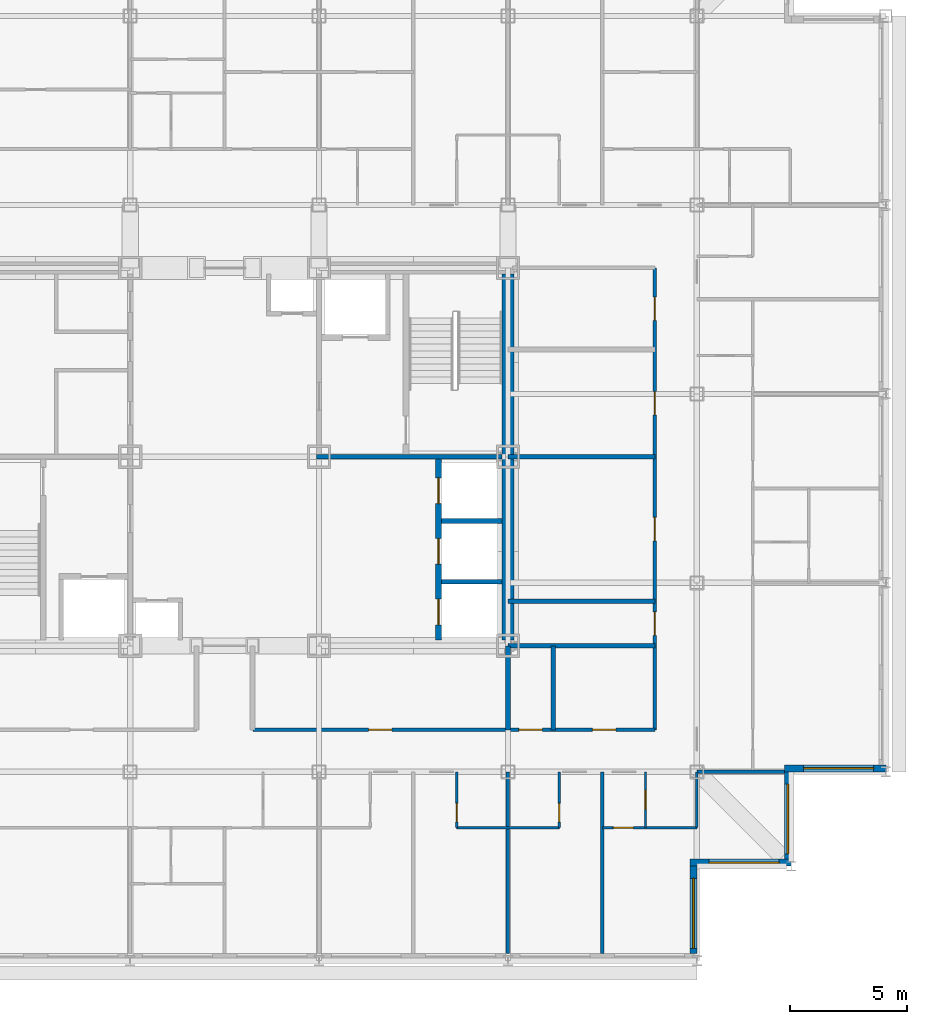
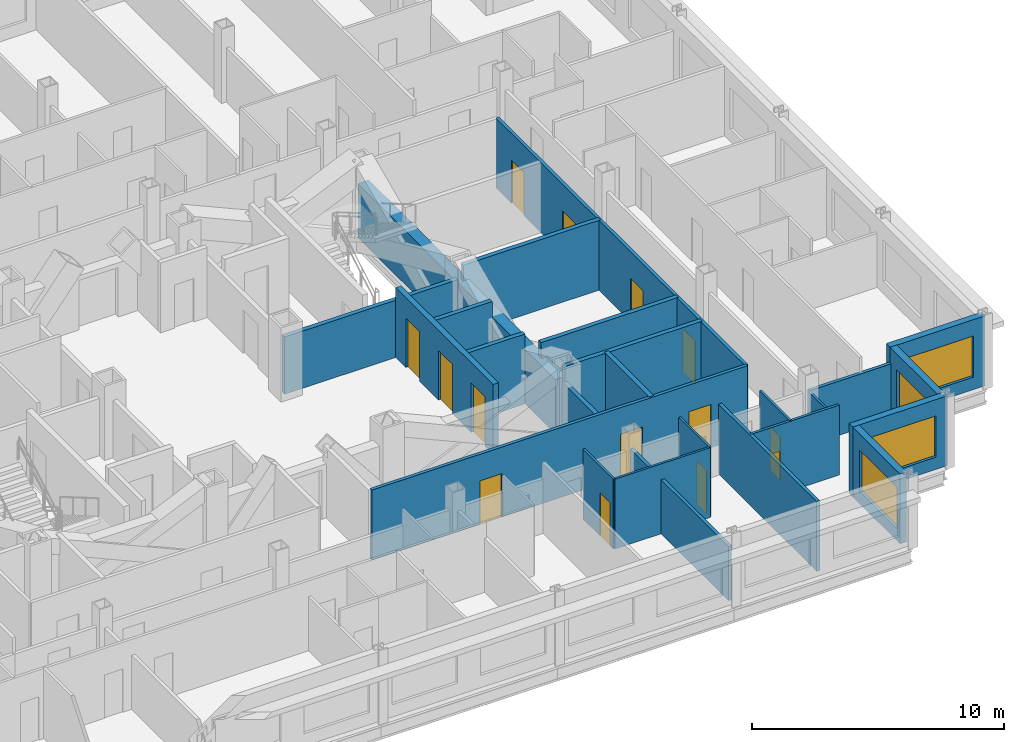
# One storey, part 7 of 12: 25 walls, 14 doors, 4 windows, 18 openings.
"""IFC4 building model written with IfcOpenShell, lengths in metres."""

from ifc_helpers import new_model, si_unit, direction, frame, frame_2d, origin, place, context, subcontext, project, spatial, rectangle, extrude, material, layer, layer_set, type_object, element, fill, save


model = new_model("IFC4")

# Units and contexts
model_context = context("Model", 3, precision=1e-05, world=origin(), true_north=direction((0.0, 1.0)))
body_context = subcontext(model_context, "Body", "Model", "MODEL_VIEW")
ifc_project = project(units=[si_unit("LENGTHUNIT", "METRE"), si_unit("AREAUNIT", "SQUARE_METRE"), si_unit("VOLUMEUNIT", "CUBIC_METRE"), si_unit("PLANEANGLEUNIT", "RADIAN"), si_unit("MASSUNIT", "GRAM", prefix="KILO")], contexts=[model_context])

# Site, building, storey
site_placement = place(None, origin())
site = spatial("IfcSite", under=ifc_project, at=site_placement, CompositionType="ELEMENT")
building_placement = place(site_placement, origin())
building = spatial("IfcBuilding", under=site, at=building_placement, Name="Kopane Lantern Tower", CompositionType="ELEMENT")
storey_placement = place(building_placement, frame((0.0, 0.0, 220.800048828125)))
storey = spatial("IfcBuildingStorey", under=building, at=storey_placement, Name="L57", CompositionType="ELEMENT", Elevation=220.800048828125)

# Wall, opening, door
ifc_material_1 = material(Name="Gypsum board on steel studs", Category="steel")
ifc_layer_1 = layer(ifc_material_1, 0.1201171875)
ifc_layer_set_1 = layer_set([ifc_layer_1], Name="APARTMENT INTERNAL WALL 120")
wall_type_1 = type_object("IfcWallType", Name="APARTMENT INTERNAL WALL 120", PredefinedType="PARTITIONING", material=ifc_layer_set_1)
wall_1_placement = place(storey_placement, frame((44.550048828125, 16.5, 0.0), z_axis=(0.0, 0.0, 1.0), x_axis=(1.0, 0.0, 0.0)))
wall_1 = element("IfcWall", 1, at=wall_1_placement, inside=storey, type_object=wall_type_1, Name="Apartment Internal Wall 120 L57", PredefinedType="PARTITIONING", context=body_context, shape_type="SweptSolid", body=[
    extrude(rectangle(XDim=4.050048828125, YDim=0.1201171875, at=frame_2d((2.02490234375, 0.0))), origin(), (0.0, 0.0, 1.0), 3.389892578125),
])
opening_1_placement = place(wall_1_placement, frame((0.47509765625, 0.0, 0.0)))
opening_1 = element("IfcOpeningElement", 2, at=opening_1_placement, cuts=wall_1, Name="Opening L57-060", PredefinedType="OPENING", context=body_context, shape_type="SweptSolid", body=[
    extrude(rectangle(XDim=0.85009765625, YDim=2.10009765625, at=frame_2d((0.425048828125, 1.050048828125))), frame((0.0, 0.070068359375, 0.0), z_axis=(0.0, -1.0, 0.0), x_axis=(1.0, 0.0, 0.0)), (0.0, 0.0, 1.0), 0.14013671875),
])
ifc_material_2 = material(Name="Timber door set", Category="wood")
door_type_1 = type_object("IfcDoorType", Name="DOOR D4 850x2100", OperationType="SINGLE_SWING_LEFT", PredefinedType="DOOR", material=ifc_material_2)
door_1_placement = place(opening_1_placement, origin())
door_1 = element("IfcDoor", 3, at=door_1_placement, inside=storey, type_object=door_type_1, Name="Door L57-060", OperationType="SINGLE_SWING_RIGHT", OverallHeight=2.10009765625, OverallWidth=0.85009765625, PredefinedType="DOOR", context=body_context, shape_type="SweptSolid", body=[
    extrude(rectangle(XDim=0.85009765625, YDim=2.10009765625, at=frame_2d((0.425048828125, 1.050048828125))), frame((0.0, 0.02490234375, 0.0), z_axis=(0.0, -1.0, 0.0), x_axis=(1.0, 0.0, 0.0)), (0.0, 0.0, 1.0), 0.050048828125),
])
fill(opening_1, door_1)

# Wall
ifc_material_3 = material(Name="Moisture-resistant board on steel studs", Category="steel")
ifc_layer_2 = layer(ifc_material_3, 0.10009765625)
ifc_layer_set_2 = layer_set([ifc_layer_2], Name="BATHROOM WALL 100")
wall_type_2 = type_object("IfcWallType", Name="BATHROOM WALL 100", PredefinedType="PARTITIONING", material=ifc_layer_set_2)
wall_2_placement = place(storey_placement, frame((38.300048828125, 16.5, 0.0), z_axis=(0.0, 0.0, 1.0), x_axis=(1.0, 0.0, 0.0)))
element("IfcWall", 4, at=wall_2_placement, inside=storey, type_object=wall_type_2, Name="Bathroom Wall 100 L57", PredefinedType="PARTITIONING", context=body_context, shape_type="SweptSolid", body=[
    extrude(rectangle(XDim=4.39990234375, YDim=0.10009765625, at=frame_2d((2.199951171875, 0.0))), origin(), (0.0, 0.0, 1.0), 3.389892578125),
])

# Wall, opening, door
wall_3_placement = place(storey_placement, frame((38.300048828125, 18.89990234375, 0.0), z_axis=(0.0, 0.0, 1.0), x_axis=(0.0, -1.0, 0.0)))
wall_3 = element("IfcWall", 5, at=wall_3_placement, inside=storey, type_object=wall_type_2, Name="Bathroom Wall 100 L57", PredefinedType="PARTITIONING", context=body_context, shape_type="SweptSolid", body=[
    extrude(rectangle(XDim=2.39990234375, YDim=0.10009765625, at=frame_2d((1.199951171875, 0.0))), origin(), (0.0, 0.0, 1.0), 3.389892578125),
])
opening_2_placement = place(wall_3_placement, frame((1.35009765625, 0.0, 0.0)))
opening_2 = element("IfcOpeningElement", 6, at=opening_2_placement, cuts=wall_3, Name="Opening L57-020", PredefinedType="OPENING", context=body_context, shape_type="SweptSolid", body=[
    extrude(rectangle(XDim=0.800048828125, YDim=2.10009765625, at=frame_2d((0.39990234375, 1.050048828125))), frame((0.0, 0.06005859375, 0.0), z_axis=(0.0, -1.0, 0.0), x_axis=(1.0, 0.0, 0.0)), (0.0, 0.0, 1.0), 0.1201171875),
])
ifc_material_4 = material(Name="Timber door set", Category="wood")
door_type_2 = type_object("IfcDoorType", Name="DOOR D2 800x2100", OperationType="SINGLE_SWING_LEFT", PredefinedType="DOOR", material=ifc_material_4)
door_2_placement = place(opening_2_placement, origin())
door_2 = element("IfcDoor", 7, at=door_2_placement, inside=storey, type_object=door_type_2, Name="Door L57-020", OperationType="SINGLE_SWING_RIGHT", OverallHeight=2.10009765625, OverallWidth=0.800048828125, PredefinedType="DOOR", context=body_context, shape_type="SweptSolid", body=[
    extrude(rectangle(XDim=0.800048828125, YDim=2.10009765625, at=frame_2d((0.39990234375, 1.050048828125))), frame((0.0, 0.02490234375, 0.0), z_axis=(0.0, -1.0, 0.0), x_axis=(1.0, 0.0, 0.0)), (0.0, 0.0, 1.0), 0.050048828125),
])
fill(opening_2, door_2)

wall_4_placement = place(storey_placement, frame((42.699951171875, 18.89990234375, 0.0), z_axis=(0.0, 0.0, 1.0), x_axis=(0.0, -1.0, 0.0)))
wall_4 = element("IfcWall", 8, at=wall_4_placement, inside=storey, type_object=wall_type_2, Name="Bathroom Wall 100 L57", PredefinedType="PARTITIONING", context=body_context, shape_type="SweptSolid", body=[
    extrude(rectangle(XDim=2.39990234375, YDim=0.10009765625, at=frame_2d((1.199951171875, 0.0))), origin(), (0.0, 0.0, 1.0), 3.389892578125),
])
opening_3_placement = place(wall_4_placement, frame((1.35009765625, 0.0, 0.0)))
opening_3 = element("IfcOpeningElement", 9, at=opening_3_placement, cuts=wall_4, Name="Opening L57-022", PredefinedType="OPENING", context=body_context, shape_type="SweptSolid", body=[
    extrude(rectangle(XDim=0.800048828125, YDim=2.10009765625, at=frame_2d((0.39990234375, 1.050048828125))), frame((0.0, 0.06005859375, 0.0), z_axis=(0.0, -1.0, 0.0), x_axis=(1.0, 0.0, 0.0)), (0.0, 0.0, 1.0), 0.1201171875),
])
door_3_placement = place(opening_3_placement, origin())
door_3 = element("IfcDoor", 10, at=door_3_placement, inside=storey, type_object=door_type_2, Name="Door L57-022", OperationType="SINGLE_SWING_LEFT", OverallHeight=2.10009765625, OverallWidth=0.800048828125, PredefinedType="DOOR", context=body_context, shape_type="SweptSolid", body=[
    extrude(rectangle(XDim=0.800048828125, YDim=2.10009765625, at=frame_2d((0.39990234375, 1.050048828125))), frame((0.0, 0.02490234375, 0.0), z_axis=(0.0, -1.0, 0.0), x_axis=(1.0, 0.0, 0.0)), (0.0, 0.0, 1.0), 0.050048828125),
])
fill(opening_3, door_3)

wall_5_placement = place(storey_placement, frame((46.39990234375, 18.89990234375, 0.0), z_axis=(0.0, 0.0, 1.0), x_axis=(0.0, -1.0, 0.0)))
wall_5 = element("IfcWall", 11, at=wall_5_placement, inside=storey, type_object=wall_type_2, Name="Bathroom Wall 100 L57", PredefinedType="PARTITIONING", context=body_context, shape_type="SweptSolid", body=[
    extrude(rectangle(XDim=2.39990234375, YDim=0.10009765625, at=frame_2d((1.199951171875, 0.0))), origin(), (0.0, 0.0, 1.0), 3.389892578125),
])
opening_4_placement = place(wall_5_placement, frame((0.800048828125, 0.0, 0.0)))
opening_4 = element("IfcOpeningElement", 12, at=opening_4_placement, cuts=wall_5, Name="Opening L57-058", PredefinedType="OPENING", context=body_context, shape_type="SweptSolid", body=[
    extrude(rectangle(XDim=0.800048828125, YDim=2.10009765625, at=frame_2d((0.39990234375, 1.050048828125))), frame((0.0, 0.06005859375, 0.0), z_axis=(0.0, -1.0, 0.0), x_axis=(1.0, 0.0, 0.0)), (0.0, 0.0, 1.0), 0.1201171875),
])
door_4_placement = place(opening_4_placement, origin())
door_4 = element("IfcDoor", 13, at=door_4_placement, inside=storey, type_object=door_type_2, Name="Door L57-058", OperationType="SINGLE_SWING_LEFT", OverallHeight=2.10009765625, OverallWidth=0.800048828125, PredefinedType="DOOR", context=body_context, shape_type="SweptSolid", body=[
    extrude(rectangle(XDim=0.800048828125, YDim=2.10009765625, at=frame_2d((0.39990234375, 1.050048828125))), frame((0.0, 0.02490234375, 0.0), z_axis=(0.0, -1.0, 0.0), x_axis=(1.0, 0.0, 0.0)), (0.0, 0.0, 1.0), 0.050048828125),
])
fill(opening_4, door_4)

# Walls
wall_6_placement = place(storey_placement, frame((48.60009765625, 18.89990234375, 0.0), z_axis=(0.0, 0.0, 1.0), x_axis=(0.0, -1.0, 0.0)))
element("IfcWall", 14, at=wall_6_placement, inside=storey, type_object=wall_type_2, Name="Bathroom Wall 100 L57", PredefinedType="PARTITIONING", context=body_context, shape_type="SweptSolid", body=[
    extrude(rectangle(XDim=2.39990234375, YDim=0.10009765625, at=frame_2d((1.199951171875, 0.0))), origin(), (0.0, 0.0, 1.0), 2.627685546875),
])
ifc_material_5 = material(Name="Gypsum shaft wall EI 120", Category="gypsum")
ifc_layer_3 = layer(ifc_material_5, 0.5)
ifc_layer_set_3 = layer_set([ifc_layer_3], Name="CORE PERIMETER WALL 500 EI 120")
wall_type_3 = type_object("IfcWallType", Name="CORE PERIMETER WALL 500 EI 120", PredefinedType="SOLIDWALL", material=ifc_layer_set_3)
wall_7_placement = place(storey_placement, frame((40.5, 24.550048828125, 0.0), z_axis=(0.0, 0.0, 1.0), x_axis=(0.0, 1.0, 0.0)))
element("IfcWall", 15, at=wall_7_placement, inside=storey, type_object=wall_type_3, Name="Core shaft wall L57 PE", PredefinedType="SOLIDWALL", context=body_context, shape_type="SweptSolid", body=[
    extrude(rectangle(XDim=15.699951171875, YDim=0.5, at=frame_2d((7.85009765625, 0.0))), origin(), (0.0, 0.0, 1.0), 2.627685546875),
])

# Wall, openings, doors
ifc_material_6 = material(Name="Gypsum shaft wall EI 120", Category="gypsum")
ifc_layer_4 = layer(ifc_material_6, 0.25)
ifc_layer_set_4 = layer_set([ifc_layer_4], Name="CORE SHAFT WALL 250 EI 120")
wall_type_4 = type_object("IfcWallType", Name="CORE SHAFT WALL 250 EI 120", PredefinedType="SOLIDWALL", material=ifc_layer_set_4)
wall_8_placement = place(storey_placement, frame((37.52490234375, 24.550048828125, 0.0), z_axis=(0.0, 0.0, 1.0), x_axis=(0.0, 1.0, 0.0)))
wall_8 = element("IfcWall", 16, at=wall_8_placement, inside=storey, type_object=wall_type_4, Name="Core shaft wall L57 XLR", PredefinedType="SOLIDWALL", context=body_context, shape_type="SweptSolid", body=[
    extrude(rectangle(XDim=7.75, YDim=0.25, at=frame_2d((3.875, 0.0))), origin(), (0.0, 0.0, 1.0), 3.389892578125),
])
opening_5_placement = place(wall_8_placement, frame((0.64990234375, 0.0, 0.0)))
opening_5 = element("IfcOpeningElement", 17, at=opening_5_placement, cuts=wall_8, Name="Opening 57.LD-LR1", PredefinedType="OPENING", context=body_context, shape_type="SweptSolid", body=[
    extrude(rectangle(XDim=1.10009765625, YDim=2.39990234375, at=frame_2d((0.550048828125, 1.199951171875))), frame((0.0, 0.135009765625, 0.0), z_axis=(0.0, -1.0, 0.0), x_axis=(1.0, 0.0, 0.0)), (0.0, 0.0, 1.0), 0.27001953125),
])
opening_6_placement = place(wall_8_placement, frame((3.25, 0.0, 0.0)))
opening_6 = element("IfcOpeningElement", 18, at=opening_6_placement, cuts=wall_8, Name="Opening 57.LD-LR2", PredefinedType="OPENING", context=body_context, shape_type="SweptSolid", body=[
    extrude(rectangle(XDim=1.10009765625, YDim=2.39990234375, at=frame_2d((0.550048828125, 1.199951171875))), frame((0.0, 0.135009765625, 0.0), z_axis=(0.0, -1.0, 0.0), x_axis=(1.0, 0.0, 0.0)), (0.0, 0.0, 1.0), 0.27001953125),
])
opening_7_placement = place(wall_8_placement, frame((5.85009765625, 0.0, 0.0)))
opening_7 = element("IfcOpeningElement", 19, at=opening_7_placement, cuts=wall_8, Name="Opening 57.LD-LR3", PredefinedType="OPENING", context=body_context, shape_type="SweptSolid", body=[
    extrude(rectangle(XDim=1.10009765625, YDim=2.39990234375, at=frame_2d((0.550048828125, 1.199951171875))), frame((0.0, 0.135009765625, 0.0), z_axis=(0.0, -1.0, 0.0), x_axis=(1.0, 0.0, 0.0)), (0.0, 0.0, 1.0), 0.27001953125),
])
ifc_material_7 = material(Name="Steel door set", Category="steel")
door_type_3 = type_object("IfcDoorType", Name="LIFT LANDING DOOR 1100x2400 FD60", OperationType="DOUBLE_DOOR_SLIDING", PredefinedType="DOOR", material=ifc_material_7)
door_5_placement = place(opening_5_placement, origin())
door_5 = element("IfcDoor", 20, at=door_5_placement, inside=storey, type_object=door_type_3, Name="Landing door LR1 L57", OperationType="DOUBLE_DOOR_SLIDING", OverallHeight=2.39990234375, OverallWidth=1.10009765625, PredefinedType="DOOR", context=body_context, shape_type="SweptSolid", body=[
    extrude(rectangle(XDim=1.10009765625, YDim=2.39990234375, at=frame_2d((0.550048828125, 1.199951171875))), frame((0.0, 0.02490234375, 0.0), z_axis=(0.0, -1.0, 0.0), x_axis=(1.0, 0.0, 0.0)), (0.0, 0.0, 1.0), 0.050048828125),
])
fill(opening_5, door_5)
door_6_placement = place(opening_6_placement, origin())
door_6 = element("IfcDoor", 21, at=door_6_placement, inside=storey, type_object=door_type_3, Name="Landing door LR2 L57", OperationType="DOUBLE_DOOR_SLIDING", OverallHeight=2.39990234375, OverallWidth=1.10009765625, PredefinedType="DOOR", context=body_context, shape_type="SweptSolid", body=[
    extrude(rectangle(XDim=1.10009765625, YDim=2.39990234375, at=frame_2d((0.550048828125, 1.199951171875))), frame((0.0, 0.02490234375, 0.0), z_axis=(0.0, -1.0, 0.0), x_axis=(1.0, 0.0, 0.0)), (0.0, 0.0, 1.0), 0.050048828125),
])
fill(opening_6, door_6)
door_7_placement = place(opening_7_placement, origin())
door_7 = element("IfcDoor", 22, at=door_7_placement, inside=storey, type_object=door_type_3, Name="Landing door LR3 L57", OperationType="DOUBLE_DOOR_SLIDING", OverallHeight=2.39990234375, OverallWidth=1.10009765625, PredefinedType="DOOR", context=body_context, shape_type="SweptSolid", body=[
    extrude(rectangle(XDim=1.10009765625, YDim=2.39990234375, at=frame_2d((0.550048828125, 1.199951171875))), frame((0.0, 0.02490234375, 0.0), z_axis=(0.0, -1.0, 0.0), x_axis=(1.0, 0.0, 0.0)), (0.0, 0.0, 1.0), 0.050048828125),
])
fill(opening_7, door_7)

ifc_material_8 = material(Name="Gypsum board on steel studs", Category="steel")
ifc_layer_5 = layer(ifc_material_8, 0.14990234375)
ifc_layer_set_5 = layer_set([ifc_layer_5], Name="CORRIDOR WALL 150 EI 60")
wall_type_5 = type_object("IfcWallType", Name="CORRIDOR WALL 150 EI 60", PredefinedType="PARTITIONING", material=ifc_layer_set_5)
wall_9_placement = place(storey_placement, frame((46.800048828125, 20.699951171875, 0.0), z_axis=(0.0, 0.0, 1.0), x_axis=(0.0, 1.0, 0.0)))
wall_9 = element("IfcWall", 23, at=wall_9_placement, inside=storey, type_object=wall_type_5, Name="Corridor Wall 150 Ei 60 L57", PredefinedType="PARTITIONING", context=body_context, shape_type="SweptSolid", body=[
    extrude(rectangle(XDim=19.800048828125, YDim=0.14990234375, at=frame_2d((9.89990234375, 0.0))), origin(), (0.0, 0.0, 1.0), 3.389892578125),
])
opening_8_placement = place(wall_9_placement, frame((4.052490234375, 0.0, 0.0)))
opening_8 = element("IfcOpeningElement", 24, at=opening_8_placement, cuts=wall_9, Name="Opening L57-003", PredefinedType="OPENING", context=body_context, shape_type="SweptSolid", body=[
    extrude(rectangle(XDim=1.0, YDim=2.10009765625, at=frame_2d((0.5, 1.050048828125))), frame((0.0, 0.0849609375, 0.0), z_axis=(0.0, -1.0, 0.0), x_axis=(1.0, 0.0, 0.0)), (0.0, 0.0, 1.0), 0.169921875),
])
opening_9_placement = place(wall_9_placement, frame((8.102294921875, 0.0, 0.0)))
opening_9 = element("IfcOpeningElement", 25, at=opening_9_placement, cuts=wall_9, Name="Opening L57-004", PredefinedType="OPENING", context=body_context, shape_type="SweptSolid", body=[
    extrude(rectangle(XDim=1.0, YDim=2.10009765625, at=frame_2d((0.5, 1.050048828125))), frame((0.0, 0.0849609375, 0.0), z_axis=(0.0, -1.0, 0.0), x_axis=(1.0, 0.0, 0.0)), (0.0, 0.0, 1.0), 0.169921875),
])
opening_10_placement = place(wall_9_placement, frame((13.501708984375, 0.0, 0.0)))
opening_10 = element("IfcOpeningElement", 26, at=opening_10_placement, cuts=wall_9, Name="Opening L57-005", PredefinedType="OPENING", context=body_context, shape_type="SweptSolid", body=[
    extrude(rectangle(XDim=1.0, YDim=2.10009765625, at=frame_2d((0.5, 1.050048828125))), frame((0.0, 0.0849609375, 0.0), z_axis=(0.0, -1.0, 0.0), x_axis=(1.0, 0.0, 0.0)), (0.0, 0.0, 1.0), 0.169921875),
])
opening_11_placement = place(wall_9_placement, frame((17.551513671875, 0.0, 0.0)))
opening_11 = element("IfcOpeningElement", 27, at=opening_11_placement, cuts=wall_9, Name="Opening L57-006", PredefinedType="OPENING", context=body_context, shape_type="SweptSolid", body=[
    extrude(rectangle(XDim=1.0, YDim=2.10009765625, at=frame_2d((0.5, 1.050048828125))), frame((0.0, 0.0849609375, 0.0), z_axis=(0.0, -1.0, 0.0), x_axis=(1.0, 0.0, 0.0)), (0.0, 0.0, 1.0), 0.169921875),
])
ifc_material_9 = material(Name="Steel door set", Category="steel")
door_type_4 = type_object("IfcDoorType", Name="DOOR D5 1000x2100 FD60", OperationType="SINGLE_SWING_LEFT", PredefinedType="DOOR", material=ifc_material_9)
door_8_placement = place(opening_8_placement, origin())
door_8 = element("IfcDoor", 28, at=door_8_placement, inside=storey, type_object=door_type_4, Name="Door L57-003", OperationType="SINGLE_SWING_LEFT", OverallHeight=2.10009765625, OverallWidth=1.0, PredefinedType="DOOR", context=body_context, shape_type="SweptSolid", body=[
    extrude(rectangle(XDim=1.0, YDim=2.10009765625, at=frame_2d((0.5, 1.050048828125))), frame((0.0, 0.02490234375, 0.0), z_axis=(0.0, -1.0, 0.0), x_axis=(1.0, 0.0, 0.0)), (0.0, 0.0, 1.0), 0.050048828125),
])
fill(opening_8, door_8)
door_9_placement = place(opening_9_placement, origin())
door_9 = element("IfcDoor", 29, at=door_9_placement, inside=storey, type_object=door_type_4, Name="Door L57-004", OperationType="SINGLE_SWING_RIGHT", OverallHeight=2.10009765625, OverallWidth=1.0, PredefinedType="DOOR", context=body_context, shape_type="SweptSolid", body=[
    extrude(rectangle(XDim=1.0, YDim=2.10009765625, at=frame_2d((0.5, 1.050048828125))), frame((0.0, 0.02490234375, 0.0), z_axis=(0.0, -1.0, 0.0), x_axis=(1.0, 0.0, 0.0)), (0.0, 0.0, 1.0), 0.050048828125),
])
fill(opening_9, door_9)
door_10_placement = place(opening_10_placement, origin())
door_10 = element("IfcDoor", 30, at=door_10_placement, inside=storey, type_object=door_type_4, Name="Door L57-005", OperationType="SINGLE_SWING_LEFT", OverallHeight=2.10009765625, OverallWidth=1.0, PredefinedType="DOOR", context=body_context, shape_type="SweptSolid", body=[
    extrude(rectangle(XDim=1.0, YDim=2.10009765625, at=frame_2d((0.5, 1.050048828125))), frame((0.0, 0.02490234375, 0.0), z_axis=(0.0, -1.0, 0.0), x_axis=(1.0, 0.0, 0.0)), (0.0, 0.0, 1.0), 0.050048828125),
])
fill(opening_10, door_10)
door_11_placement = place(opening_11_placement, origin())
door_11 = element("IfcDoor", 31, at=door_11_placement, inside=storey, type_object=door_type_4, Name="Door L57-006", OperationType="SINGLE_SWING_RIGHT", OverallHeight=2.10009765625, OverallWidth=1.0, PredefinedType="DOOR", context=body_context, shape_type="SweptSolid", body=[
    extrude(rectangle(XDim=1.0, YDim=2.10009765625, at=frame_2d((0.5, 1.050048828125))), frame((0.0, 0.02490234375, 0.0), z_axis=(0.0, -1.0, 0.0), x_axis=(1.0, 0.0, 0.0)), (0.0, 0.0, 1.0), 0.050048828125),
])
fill(opening_11, door_11)

wall_10_placement = place(storey_placement, frame((29.56005859375, 20.699951171875, 0.0), z_axis=(0.0, 0.0, 1.0), x_axis=(1.0, 0.0, 0.0)))
wall_10 = element("IfcWall", 32, at=wall_10_placement, inside=storey, type_object=wall_type_5, Name="Corridor Wall 150 Ei 60 L57", PredefinedType="PARTITIONING", context=body_context, shape_type="SweptSolid", body=[
    extrude(rectangle(XDim=17.239990234375, YDim=0.14990234375, at=frame_2d((8.6201171875, 0.0))), origin(), (0.0, 0.0, 1.0), 3.389892578125),
])
opening_12_placement = place(wall_10_placement, frame((4.965087890625, 0.0, 0.0)))
opening_12 = element("IfcOpeningElement", 33, at=opening_12_placement, cuts=wall_10, Name="Opening L57-009", PredefinedType="OPENING", context=body_context, shape_type="SweptSolid", body=[
    extrude(rectangle(XDim=1.0, YDim=2.10009765625, at=frame_2d((0.5, 1.050048828125))), frame((0.0, 0.0849609375, 0.0), z_axis=(0.0, -1.0, 0.0), x_axis=(1.0, 0.0, 0.0)), (0.0, 0.0, 1.0), 0.169921875),
])
opening_13_placement = place(wall_10_placement, frame((11.412109375, 0.0, 0.0)))
opening_13 = element("IfcOpeningElement", 34, at=opening_13_placement, cuts=wall_10, Name="Opening L57-010", PredefinedType="OPENING", context=body_context, shape_type="SweptSolid", body=[
    extrude(rectangle(XDim=1.0, YDim=2.10009765625, at=frame_2d((0.5, 1.050048828125))), frame((0.0, 0.0849609375, 0.0), z_axis=(0.0, -1.0, 0.0), x_axis=(1.0, 0.0, 0.0)), (0.0, 0.0, 1.0), 0.169921875),
])
opening_14_placement = place(wall_10_placement, frame((14.562255859375, 0.0, 0.0)))
opening_14 = element("IfcOpeningElement", 35, at=opening_14_placement, cuts=wall_10, Name="Opening L57-011", PredefinedType="OPENING", context=body_context, shape_type="SweptSolid", body=[
    extrude(rectangle(XDim=1.0, YDim=2.10009765625, at=frame_2d((0.5, 1.050048828125))), frame((0.0, 0.0849609375, 0.0), z_axis=(0.0, -1.0, 0.0), x_axis=(1.0, 0.0, 0.0)), (0.0, 0.0, 1.0), 0.169921875),
])
door_12_placement = place(opening_12_placement, origin())
door_12 = element("IfcDoor", 36, at=door_12_placement, inside=storey, type_object=door_type_4, Name="Door L57-009", OperationType="SINGLE_SWING_LEFT", OverallHeight=2.10009765625, OverallWidth=1.0, PredefinedType="DOOR", context=body_context, shape_type="SweptSolid", body=[
    extrude(rectangle(XDim=1.0, YDim=2.10009765625, at=frame_2d((0.5, 1.050048828125))), frame((0.0, 0.02490234375, 0.0), z_axis=(0.0, -1.0, 0.0), x_axis=(1.0, 0.0, 0.0)), (0.0, 0.0, 1.0), 0.050048828125),
])
fill(opening_12, door_12)
door_13_placement = place(opening_13_placement, origin())
door_13 = element("IfcDoor", 37, at=door_13_placement, inside=storey, type_object=door_type_4, Name="Door L57-010", OperationType="SINGLE_SWING_RIGHT", OverallHeight=2.10009765625, OverallWidth=1.0, PredefinedType="DOOR", context=body_context, shape_type="SweptSolid", body=[
    extrude(rectangle(XDim=1.0, YDim=2.10009765625, at=frame_2d((0.5, 1.050048828125))), frame((0.0, 0.02490234375, 0.0), z_axis=(0.0, -1.0, 0.0), x_axis=(1.0, 0.0, 0.0)), (0.0, 0.0, 1.0), 0.050048828125),
])
fill(opening_13, door_13)
door_14_placement = place(opening_14_placement, origin())
door_14 = element("IfcDoor", 38, at=door_14_placement, inside=storey, type_object=door_type_4, Name="Door L57-011", OperationType="SINGLE_SWING_LEFT", OverallHeight=2.10009765625, OverallWidth=1.0, PredefinedType="DOOR", context=body_context, shape_type="SweptSolid", body=[
    extrude(rectangle(XDim=1.0, YDim=2.10009765625, at=frame_2d((0.5, 1.050048828125))), frame((0.0, 0.02490234375, 0.0), z_axis=(0.0, -1.0, 0.0), x_axis=(1.0, 0.0, 0.0)), (0.0, 0.0, 1.0), 0.050048828125),
])
fill(opening_14, door_14)

# Walls
ifc_material_10 = material(Name="Gypsum board on steel studs", Category="steel")
ifc_layer_6 = layer(ifc_material_10, 0.14990234375)
ifc_layer_set_6 = layer_set([ifc_layer_6], Name="DEMISING WALL 150 EI 60")
wall_type_6 = type_object("IfcWallType", Name="DEMISING WALL 150 EI 60", PredefinedType="PARTITIONING", material=ifc_layer_set_6)
wall_11_placement = place(storey_placement, frame((40.5, 18.89990234375, 0.0), z_axis=(0.0, 0.0, 1.0), x_axis=(0.0, -1.0, 0.0)))
element("IfcWall", 39, at=wall_11_placement, inside=storey, type_object=wall_type_6, Name="Demising Wall 150 Ei 60 L57", PredefinedType="PARTITIONING", context=body_context, shape_type="SweptSolid", body=[
    extrude(rectangle(XDim=7.7998046875, YDim=0.14990234375, at=frame_2d((3.89990234375, 0.0))), origin(), (0.0, 0.0, 1.0), 2.627685546875),
])
wall_12_placement = place(storey_placement, frame((48.60009765625, 18.89990234375, 0.0), z_axis=(0.0, 0.0, 1.0), x_axis=(1.0, 0.0, 0.0)))
element("IfcWall", 40, at=wall_12_placement, inside=storey, type_object=wall_type_6, Name="Demising Wall 150 Ei 60 L57", PredefinedType="PARTITIONING", context=body_context, shape_type="SweptSolid", body=[
    extrude(rectangle(XDim=3.75, YDim=0.14990234375, at=frame_2d((1.875, 0.0))), origin(), (0.0, 0.0, 1.0), 2.627685546875),
])
wall_13_placement = place(storey_placement, frame((44.550048828125, 18.89990234375, 0.0), z_axis=(0.0, 0.0, 1.0), x_axis=(0.0, -1.0, 0.0)))
element("IfcWall", 41, at=wall_13_placement, inside=storey, type_object=wall_type_6, Name="Demising Wall 150 Ei 60 L57", PredefinedType="PARTITIONING", context=body_context, shape_type="SweptSolid", body=[
    extrude(rectangle(XDim=7.7998046875, YDim=0.14990234375, at=frame_2d((3.89990234375, 0.0))), origin(), (0.0, 0.0, 1.0), 3.389892578125),
])

# Wall, opening, window
ifc_material_11 = material(Name="Terracotta rainscreen on light steel framing", Category="masonry")
ifc_layer_7 = layer(ifc_material_11, 0.300048828125)
ifc_layer_set_7 = layer_set([ifc_layer_7], Name="EXTERNAL WALL EW1 300 TERRACOTTA")
wall_type_7 = type_object("IfcWallType", Name="EXTERNAL WALL EW1 300 TERRACOTTA", PredefinedType="SOLIDWALL", material=ifc_layer_set_7)
wall_14_placement = place(storey_placement, frame((48.449951171875, 11.10009765625, 0.0), z_axis=(0.0, 0.0, 1.0), x_axis=(0.0, 1.0, 0.0)))
wall_14 = element("IfcWall", 42, at=wall_14_placement, inside=storey, type_object=wall_type_7, Name="External wall E L57", PredefinedType="SOLIDWALL", context=body_context, shape_type="SweptSolid", body=[
    extrude(rectangle(XDim=3.75, YDim=0.300048828125, at=frame_2d((1.875, 0.0))), origin(), (0.0, 0.0, 1.0), 3.389892578125),
])
opening_15_placement = place(wall_14_placement, frame((0.22509765625, 0.0, 0.60009765625)))
opening_15 = element("IfcOpeningElement", 43, at=opening_15_placement, cuts=wall_14, Name="Opening WR300200", PredefinedType="OPENING", context=body_context, shape_type="SweptSolid", body=[
    extrude(rectangle(XDim=3.0, YDim=2.0, at=frame_2d((1.5, 1.0))), frame((0.0, 0.159912109375, 0.0), z_axis=(0.0, -1.0, 0.0), x_axis=(1.0, 0.0, 0.0)), (0.0, 0.0, 1.0), 0.320068359375),
])
ifc_material_12 = material(Name="Aluminium and clear glass", Category="aluminium")
window_type = type_object("IfcWindowType", Name="RIBBON WINDOW WR300200 3000x2000", PartitioningType="SINGLE_PANEL", PredefinedType="WINDOW", material=ifc_material_12)
window_1_placement = place(opening_15_placement, origin())
window_1 = element("IfcWindow", 44, at=window_1_placement, inside=storey, type_object=window_type, Name="Window E L57", OverallHeight=2.0, OverallWidth=3.0, PartitioningType="SINGLE_PANEL", PredefinedType="WINDOW", context=body_context, shape_type="SweptSolid", body=[
    extrude(rectangle(XDim=3.0, YDim=2.0, at=frame_2d((1.5, 1.0))), frame((0.0, 0.030029296875, 0.0), z_axis=(0.0, -1.0, 0.0), x_axis=(1.0, 0.0, 0.0)), (0.0, 0.0, 1.0), 0.06005859375),
])
fill(opening_15, window_1)

wall_15_placement = place(storey_placement, frame((48.300048828125, 15.0, 0.0), z_axis=(0.0, 0.0, 1.0), x_axis=(1.0, 0.0, 0.0)))
wall_15 = element("IfcWall", 45, at=wall_15_placement, inside=storey, type_object=wall_type_7, Name="External wall S L57", PredefinedType="SOLIDWALL", context=body_context, shape_type="SweptSolid", body=[
    extrude(rectangle(XDim=4.349853515625, YDim=0.300048828125, at=frame_2d((2.1748046875, 0.0))), origin(), (0.0, 0.0, 1.0), 3.389892578125),
])
opening_16_placement = place(wall_15_placement, frame((0.824951171875, 0.0, 0.60009765625)))
opening_16 = element("IfcOpeningElement", 46, at=opening_16_placement, cuts=wall_15, Name="Opening WR300200", PredefinedType="OPENING", context=body_context, shape_type="SweptSolid", body=[
    extrude(rectangle(XDim=3.0, YDim=2.0, at=frame_2d((1.5, 1.0))), frame((0.0, 0.159912109375, 0.0), z_axis=(0.0, -1.0, 0.0), x_axis=(1.0, 0.0, 0.0)), (0.0, 0.0, 1.0), 0.320068359375),
])
window_2_placement = place(opening_16_placement, origin())
window_2 = element("IfcWindow", 47, at=window_2_placement, inside=storey, type_object=window_type, Name="Window S L57", OverallHeight=2.0, OverallWidth=3.0, PartitioningType="SINGLE_PANEL", PredefinedType="WINDOW", context=body_context, shape_type="SweptSolid", body=[
    extrude(rectangle(XDim=3.0, YDim=2.0, at=frame_2d((1.5, 1.0))), frame((0.0, 0.030029296875, 0.0), z_axis=(0.0, -1.0, 0.0), x_axis=(1.0, 0.0, 0.0)), (0.0, 0.0, 1.0), 0.06005859375),
])
fill(opening_16, window_2)

wall_16_placement = place(storey_placement, frame((52.5, 15.14990234375, 0.0), z_axis=(0.0, 0.0, 1.0), x_axis=(0.0, 1.0, 0.0)))
wall_16 = element("IfcWall", 48, at=wall_16_placement, inside=storey, type_object=wall_type_7, Name="External wall E L57", PredefinedType="SOLIDWALL", context=body_context, shape_type="SweptSolid", body=[
    extrude(rectangle(XDim=3.75, YDim=0.300048828125, at=frame_2d((1.875, 0.0))), origin(), (0.0, 0.0, 1.0), 3.389892578125),
])
opening_17_placement = place(wall_16_placement, frame((0.22509765625, 0.0, 0.60009765625)))
opening_17 = element("IfcOpeningElement", 49, at=opening_17_placement, cuts=wall_16, Name="Opening WR300200", PredefinedType="OPENING", context=body_context, shape_type="SweptSolid", body=[
    extrude(rectangle(XDim=3.0, YDim=2.0, at=frame_2d((1.5, 1.0))), frame((0.0, 0.159912109375, 0.0), z_axis=(0.0, -1.0, 0.0), x_axis=(1.0, 0.0, 0.0)), (0.0, 0.0, 1.0), 0.320068359375),
])
window_3_placement = place(opening_17_placement, origin())
window_3 = element("IfcWindow", 50, at=window_3_placement, inside=storey, type_object=window_type, Name="Window E L57", OverallHeight=2.0, OverallWidth=3.0, PartitioningType="SINGLE_PANEL", PredefinedType="WINDOW", context=body_context, shape_type="SweptSolid", body=[
    extrude(rectangle(XDim=3.0, YDim=2.0, at=frame_2d((1.5, 1.0))), frame((0.0, 0.030029296875, 0.0), z_axis=(0.0, -1.0, 0.0), x_axis=(1.0, 0.0, 0.0)), (0.0, 0.0, 1.0), 0.06005859375),
])
fill(opening_17, window_3)

wall_17_placement = place(storey_placement, frame((52.35009765625, 19.050048828125, 0.0), z_axis=(0.0, 0.0, 1.0), x_axis=(1.0, 0.0, 0.0)))
wall_17 = element("IfcWall", 51, at=wall_17_placement, inside=storey, type_object=wall_type_7, Name="External wall S L57", PredefinedType="SOLIDWALL", context=body_context, shape_type="SweptSolid", body=[
    extrude(rectangle(XDim=4.349853515625, YDim=0.300048828125, at=frame_2d((2.1748046875, 0.0))), origin(), (0.0, 0.0, 1.0), 3.389892578125),
])
opening_18_placement = place(wall_17_placement, frame((0.824951171875, 0.0, 0.60009765625)))
opening_18 = element("IfcOpeningElement", 52, at=opening_18_placement, cuts=wall_17, Name="Opening WR300200", PredefinedType="OPENING", context=body_context, shape_type="SweptSolid", body=[
    extrude(rectangle(XDim=3.0, YDim=2.0, at=frame_2d((1.5, 1.0))), frame((0.0, 0.159912109375, 0.0), z_axis=(0.0, -1.0, 0.0), x_axis=(1.0, 0.0, 0.0)), (0.0, 0.0, 1.0), 0.320068359375),
])
window_4_placement = place(opening_18_placement, origin())
window_4 = element("IfcWindow", 53, at=window_4_placement, inside=storey, type_object=window_type, Name="Window S L57", OverallHeight=2.0, OverallWidth=3.0, PartitioningType="SINGLE_PANEL", PredefinedType="WINDOW", context=body_context, shape_type="SweptSolid", body=[
    extrude(rectangle(XDim=3.0, YDim=2.0, at=frame_2d((1.5, 1.0))), frame((0.0, 0.030029296875, 0.0), z_axis=(0.0, -1.0, 0.0), x_axis=(1.0, 0.0, 0.0)), (0.0, 0.0, 1.0), 0.06005859375),
])
fill(opening_18, window_4)

# Walls
ifc_material_13 = material(Name="Concrete masonry", Category="masonry")
ifc_layer_8 = layer(ifc_material_13, 0.199951171875)
ifc_layer_set_8 = layer_set([ifc_layer_8], Name="PLANT ROOM WALL 200 EI 120")
wall_type_8 = type_object("IfcWallType", Name="PLANT ROOM WALL 200 EI 120", PredefinedType="SOLIDWALL", material=ifc_layer_set_8)
for number, where, z_axis, x_axis, name in (
    (54, (40.5, 32.39990234375, 0.0), (0.0, 0.0, 1.0), (1.0, 0.0, 0.0), "Plant Room Wall 200 Ei 120 L57"),
    (55, (46.800048828125, 26.204833984375, 0.0), (0.0, 0.0, 1.0), (-1.0, 0.0, 0.0), "Plant Room Wall 200 Ei 120 L57"),
):
    element("IfcWall", number, at=place(storey_placement, frame(where, z_axis=z_axis, x_axis=x_axis)), inside=storey, type_object=wall_type_8, Name=name, PredefinedType="SOLIDWALL", context=body_context, shape_type="SweptSolid", body=[
        extrude(rectangle(XDim=6.300048828125, YDim=0.199951171875, at=frame_2d((3.14990234375, 0.0))), origin(), (0.0, 0.0, 1.0), 3.389892578125),
    ])
wall_18_placement = place(storey_placement, frame((40.5, 20.699951171875, 0.0), z_axis=(0.0, 0.0, 1.0), x_axis=(0.0, 1.0, 0.0)))
element("IfcWall", 56, at=wall_18_placement, inside=storey, type_object=wall_type_8, Name="Plant Room Wall 200 Ei 120 L57", PredefinedType="SOLIDWALL", context=body_context, shape_type="SweptSolid", body=[
    extrude(rectangle(XDim=3.60009765625, YDim=0.199951171875, at=frame_2d((1.800048828125, 0.0))), origin(), (0.0, 0.0, 1.0), 2.627685546875),
])
wall_19_placement = place(storey_placement, frame((42.4443359375, 20.699951171875, 0.0), z_axis=(0.0, 0.0, 1.0), x_axis=(0.0, 1.0, 0.0)))
element("IfcWall", 57, at=wall_19_placement, inside=storey, type_object=wall_type_8, Name="Plant Room Wall 200 Ei 120 L57", PredefinedType="SOLIDWALL", context=body_context, shape_type="SweptSolid", body=[
    extrude(rectangle(XDim=3.60009765625, YDim=0.199951171875, at=frame_2d((1.800048828125, 0.0))), origin(), (0.0, 0.0, 1.0), 3.389892578125),
])
wall_20_placement = place(storey_placement, frame((40.5, 24.300048828125, 0.0), z_axis=(0.0, 0.0, 1.0), x_axis=(1.0, 0.0, 0.0)))
element("IfcWall", 58, at=wall_20_placement, inside=storey, type_object=wall_type_8, Name="Plant Room Wall 200 Ei 120 L57", PredefinedType="SOLIDWALL", context=body_context, shape_type="SweptSolid", body=[
    extrude(rectangle(XDim=6.300048828125, YDim=0.199951171875, at=frame_2d((3.14990234375, 0.0))), origin(), (0.0, 0.0, 1.0), 3.389892578125),
])
ifc_material_14 = material(Name="Gypsum shaft wall EI 120", Category="gypsum")
ifc_layer_9 = layer(ifc_material_14, 0.199951171875)
ifc_layer_set_9 = layer_set([ifc_layer_9], Name="SHAFT WALL 200 EI 120")
wall_type_9 = type_object("IfcWallType", Name="SHAFT WALL 200 EI 120", PredefinedType="SOLIDWALL", material=ifc_layer_set_9)
wall_21_placement = place(storey_placement, frame((32.300048828125, 32.39990234375, 0.0), z_axis=(0.0, 0.0, 1.0), x_axis=(1.0, 0.0, 0.0)))
element("IfcWall", 59, at=wall_21_placement, inside=storey, type_object=wall_type_9, Name="Core shaft wall L57 Y324E", PredefinedType="SOLIDWALL", context=body_context, shape_type="SweptSolid", body=[
    extrude(rectangle(XDim=7.949951171875, YDim=0.199951171875, at=frame_2d((3.97509765625, 0.0))), origin(), (0.0, 0.0, 1.0), 2.77783203125),
])
for number, where, z_axis, x_axis, name in (
    (60, (37.64990234375, 27.050048828125, 0.0), (0.0, 0.0, 1.0), (1.0, 0.0, 0.0), "Core shaft wall L57 YLR12"),
    (61, (37.64990234375, 29.64990234375, 0.0), (0.0, 0.0, 1.0), (1.0, 0.0, 0.0), "Core shaft wall L57 YLR23"),
):
    element("IfcWall", number, at=place(storey_placement, frame(where, z_axis=z_axis, x_axis=x_axis)), inside=storey, type_object=wall_type_9, Name=name, PredefinedType="SOLIDWALL", context=body_context, shape_type="SweptSolid", body=[
        extrude(rectangle(XDim=2.60009765625, YDim=0.199951171875, at=frame_2d((1.300048828125, 0.0))), origin(), (0.0, 0.0, 1.0), 3.389892578125),
    ])

save(model, "model.ifc")
